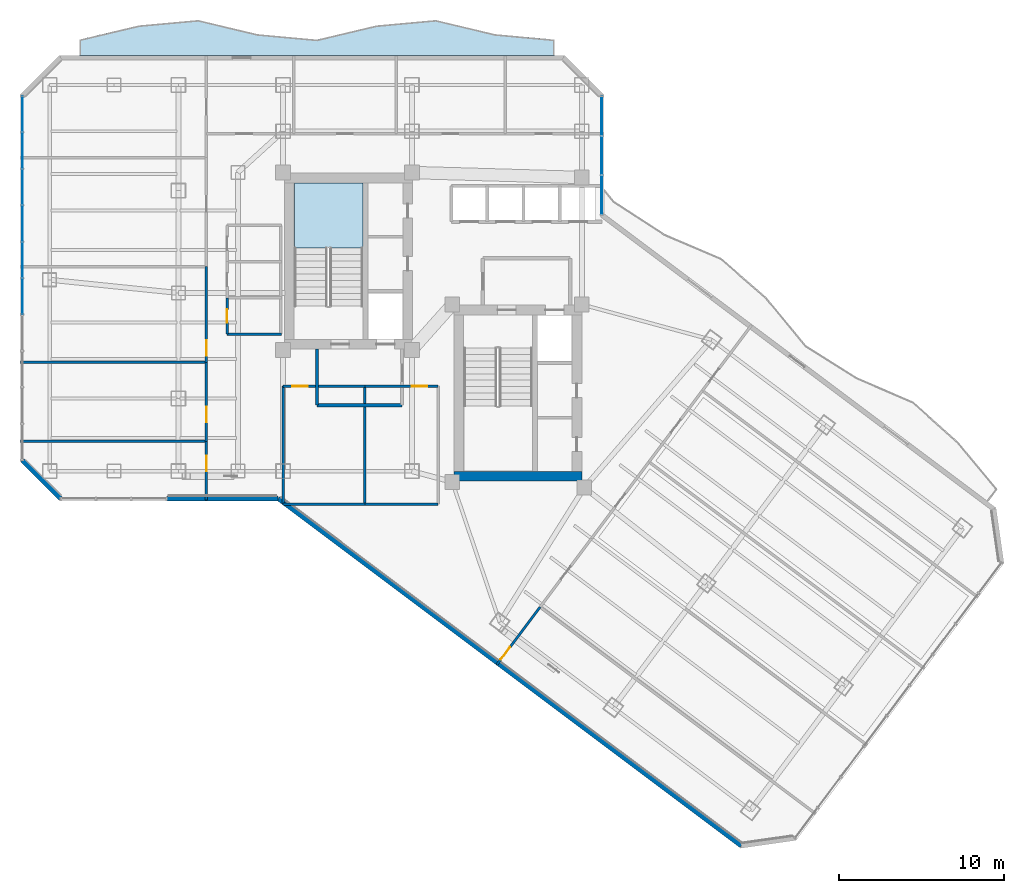
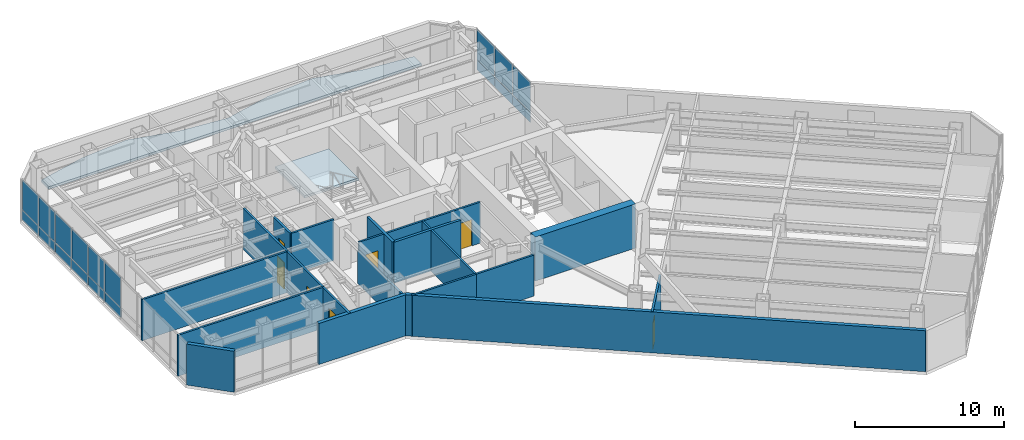
# One storey, part 23 of 31: 20 walls, 18 plates, 7 doors, 2 slabs, 7 openings, 3 elements without a shape of their own.
"""IFC4 building model written with IfcOpenShell, lengths in metres."""

from ifc_helpers import new_model, si_unit, direction, frame, frame_2d, origin, origin_2d, place, context, subcontext, project, spatial, polyline, rectangle, outline, extrude, material, layer, layer_set, type_object, element, fill, aggregate, save


model = new_model("IFC4")

# Units and contexts
model_context = context("Model", 3, precision=1e-05, world=origin(), true_north=direction((0.0, 1.0)))
body_context = subcontext(model_context, "Body", "Model", "MODEL_VIEW")
ifc_project = project(units=[si_unit("LENGTHUNIT", "METRE"), si_unit("AREAUNIT", "SQUARE_METRE"), si_unit("VOLUMEUNIT", "CUBIC_METRE"), si_unit("PLANEANGLEUNIT", "RADIAN"), si_unit("MASSUNIT", "GRAM", prefix="KILO")], contexts=[model_context])

# Site, building, storey
site_placement = place(None, origin())
site = spatial("IfcSite", under=ifc_project, at=site_placement, CompositionType="ELEMENT")
building_placement = place(site_placement, origin())
building = spatial("IfcBuilding", under=site, at=building_placement, Name="Hatsunagi Terrace Concourse", CompositionType="ELEMENT")
storey_placement = place(building_placement, frame((0.0, 0.0, 112.050048828125)))
storey = spatial("IfcBuildingStorey", under=building, at=storey_placement, Name="L29", CompositionType="ELEMENT", Elevation=112.050048828125)

# Curtain wall, plates
ifc_material_1 = material(Name="Anodised Aluminium Alloy 6063-T5", Category="aluminium")
ifc_layer_1 = layer(ifc_material_1, 0.199951171875)
ifc_layer_set_1 = layer_set([ifc_layer_1], Name="OfficeZone1_CW03")
curtain_wall_type = type_object("IfcCurtainWallType", Name="OfficeZone1_CW03", PredefinedType="NOTDEFINED", material=ifc_layer_set_1)
curtain_wall_1_placement = place(storey_placement, origin())
curtain_wall_1 = element("IfcCurtainWall", 1, at=curtain_wall_1_placement, inside=storey, type_object=curtain_wall_type, Name="Unitised Curtain Wall CW-03 CW-L29-09", PredefinedType="NOTDEFINED")
ifc_material_2 = material(Name="Warm Terracotta Ceramic Spandrel Panel", Category="masonry")
ifc_layer_2 = layer(ifc_material_2, 0.031982421875)
ifc_layer_set_2 = layer_set([ifc_layer_2], Name="CurtainWallSpandrelPanel_32")
plate_type_1 = type_object("IfcPlateType", Name="CurtainWallSpandrelPanel_32", PredefinedType="SHEET", material=ifc_layer_set_2)
plate_1_placement = place(storey_placement, frame((9.739990234375, 35.7958984375, 0.030029296875), z_axis=(0.0, 0.0, 1.0), x_axis=(0.0, 1.0, 0.0)))
plate_1 = element("IfcPlate", 2, at=plate_1_placement, type_object=plate_type_1, Name="Terracotta Spandrel Panel SPN-01", PredefinedType="SHEET", context=body_context, shape_type="SweptSolid", body=[
    extrude(rectangle(XDim=2.153076171875, YDim=0.031982421875, at=origin_2d()), origin(), (0.0, 0.0, 1.0), 0.7900390625),
])
plate_2_placement = place(storey_placement, frame((9.739990234375, 38.00390625, 0.030029296875), z_axis=(0.0, 0.0, 1.0), x_axis=(0.0, 1.0, 0.0)))
plate_2 = element("IfcPlate", 3, at=plate_2_placement, type_object=plate_type_1, Name="Terracotta Spandrel Panel SPN-01", PredefinedType="SHEET", context=body_context, shape_type="SweptSolid", body=[
    extrude(rectangle(XDim=2.153076171875, YDim=0.031982421875, at=origin_2d()), origin(), (0.0, 0.0, 1.0), 0.7900390625),
])
plate_3_placement = place(storey_placement, frame((9.739990234375, 40.212890625, 0.030029296875), z_axis=(0.0, 0.0, 1.0), x_axis=(0.0, 1.0, 0.0)))
plate_3 = element("IfcPlate", 4, at=plate_3_placement, type_object=plate_type_1, Name="Terracotta Spandrel Panel SPN-01", PredefinedType="SHEET", context=body_context, shape_type="SweptSolid", body=[
    extrude(rectangle(XDim=2.153076171875, YDim=0.031982421875, at=origin_2d()), origin(), (0.0, 0.0, 1.0), 0.7900390625),
])
plate_4_placement = place(storey_placement, frame((9.739990234375, 42.4208984375, 0.030029296875), z_axis=(0.0, 0.0, 1.0), x_axis=(0.0, 1.0, 0.0)))
plate_4 = element("IfcPlate", 5, at=plate_4_placement, type_object=plate_type_1, Name="Terracotta Spandrel Panel SPN-01", PredefinedType="SHEET", context=body_context, shape_type="SweptSolid", body=[
    extrude(rectangle(XDim=2.153076171875, YDim=0.031982421875, at=origin_2d()), origin(), (0.0, 0.0, 1.0), 0.7900390625),
])
plate_5_placement = place(storey_placement, frame((9.739990234375, 44.62890625, 0.030029296875), z_axis=(0.0, 0.0, 1.0), x_axis=(0.0, 1.0, 0.0)))
plate_5 = element("IfcPlate", 6, at=plate_5_placement, type_object=plate_type_1, Name="Terracotta Spandrel Panel SPN-01", PredefinedType="SHEET", context=body_context, shape_type="SweptSolid", body=[
    extrude(rectangle(XDim=2.153076171875, YDim=0.031982421875, at=origin_2d()), origin(), (0.0, 0.0, 1.0), 0.7900390625),
])
plate_6_placement = place(storey_placement, frame((9.739990234375, 46.837890625, 0.030029296875), z_axis=(0.0, 0.0, 1.0), x_axis=(0.0, 1.0, 0.0)))
plate_6 = element("IfcPlate", 7, at=plate_6_placement, type_object=plate_type_1, Name="Terracotta Spandrel Panel SPN-01", PredefinedType="SHEET", context=body_context, shape_type="SweptSolid", body=[
    extrude(rectangle(XDim=2.153076171875, YDim=0.031982421875, at=origin_2d()), origin(), (0.0, 0.0, 1.0), 0.7900390625),
])

curtain_wall_2_placement = place(storey_placement, origin())
curtain_wall_2 = element("IfcCurtainWall", 8, at=curtain_wall_2_placement, inside=storey, type_object=curtain_wall_type, Name="Unitised Curtain Wall CW-03 CW-L29-13", PredefinedType="NOTDEFINED")
plate_7_placement = place(storey_placement, frame((44.860107421875, 46.739990234375, 0.030029296875), z_axis=(0.0, 0.0, 1.0), x_axis=(0.0, -1.0, 0.0)))
plate_7 = element("IfcPlate", 9, at=plate_7_placement, type_object=plate_type_1, Name="Terracotta Spandrel Panel SPN-01", PredefinedType="SHEET", context=body_context, shape_type="SweptSolid", body=[
    extrude(rectangle(XDim=2.34912109375, YDim=0.031982421875, at=origin_2d()), origin(), (0.0, 0.0, 1.0), 0.7900390625),
])
plate_8_placement = place(storey_placement, frame((44.860107421875, 44.3359375, 0.030029296875), z_axis=(0.0, 0.0, 1.0), x_axis=(0.0, -1.0, 0.0)))
plate_8 = element("IfcPlate", 10, at=plate_8_placement, type_object=plate_type_1, Name="Terracotta Spandrel Panel SPN-01", PredefinedType="SHEET", context=body_context, shape_type="SweptSolid", body=[
    extrude(rectangle(XDim=2.34912109375, YDim=0.031982421875, at=origin_2d()), origin(), (0.0, 0.0, 1.0), 0.7900390625),
])
plate_9_placement = place(storey_placement, frame((44.860107421875, 41.931884765625, 0.030029296875), z_axis=(0.0, 0.0, 1.0), x_axis=(0.0, -1.0, 0.0)))
plate_9 = element("IfcPlate", 11, at=plate_9_placement, type_object=plate_type_1, Name="Terracotta Spandrel Panel SPN-01", PredefinedType="SHEET", context=body_context, shape_type="SweptSolid", body=[
    extrude(rectangle(XDim=2.34912109375, YDim=0.031982421875, at=origin_2d()), origin(), (0.0, 0.0, 1.0), 0.7900390625),
])

# Plate
ifc_material_3 = material(Name="Low-E Double Insulating Glass 28mm", Category="glass")
ifc_layer_3 = layer(ifc_material_3, 0.028076171875)
ifc_layer_set_3 = layer_set([ifc_layer_3], Name="CurtainWallVisionGlass_28")
plate_type_2 = type_object("IfcPlateType", Name="CurtainWallVisionGlass_28", PredefinedType="CURTAIN_PANEL", material=ifc_layer_set_3)
plate_10_placement = place(storey_placement, frame((9.739990234375, 35.7958984375, 0.8798828125), z_axis=(0.0, 0.0, 1.0), x_axis=(0.0, 1.0, 0.0)))
plate_10 = element("IfcPlate", 12, at=plate_10_placement, type_object=plate_type_2, Name="Low-E Vision Glass Panel GLZ-01", PredefinedType="CURTAIN_PANEL", context=body_context, shape_type="SweptSolid", body=[
    extrude(rectangle(XDim=2.153076171875, YDim=0.028076171875, at=origin_2d()), origin(), (0.0, 0.0, 1.0), 2.43994140625),
])

plate_11_placement = place(storey_placement, frame((9.739990234375, 38.00390625, 0.8798828125), z_axis=(0.0, 0.0, 1.0), x_axis=(0.0, 1.0, 0.0)))
plate_11 = element("IfcPlate", 13, at=plate_11_placement, type_object=plate_type_2, Name="Low-E Vision Glass Panel GLZ-01", PredefinedType="CURTAIN_PANEL", context=body_context, shape_type="SweptSolid", body=[
    extrude(rectangle(XDim=2.153076171875, YDim=0.028076171875, at=origin_2d()), origin(), (0.0, 0.0, 1.0), 2.43994140625),
])

plate_12_placement = place(storey_placement, frame((9.739990234375, 40.212890625, 0.8798828125), z_axis=(0.0, 0.0, 1.0), x_axis=(0.0, 1.0, 0.0)))
plate_12 = element("IfcPlate", 14, at=plate_12_placement, type_object=plate_type_2, Name="Low-E Vision Glass Panel GLZ-01", PredefinedType="CURTAIN_PANEL", context=body_context, shape_type="SweptSolid", body=[
    extrude(rectangle(XDim=2.153076171875, YDim=0.028076171875, at=origin_2d()), origin(), (0.0, 0.0, 1.0), 2.43994140625),
])

plate_13_placement = place(storey_placement, frame((9.739990234375, 42.4208984375, 0.8798828125), z_axis=(0.0, 0.0, 1.0), x_axis=(0.0, 1.0, 0.0)))
plate_13 = element("IfcPlate", 15, at=plate_13_placement, type_object=plate_type_2, Name="Low-E Vision Glass Panel GLZ-01", PredefinedType="CURTAIN_PANEL", context=body_context, shape_type="SweptSolid", body=[
    extrude(rectangle(XDim=2.153076171875, YDim=0.028076171875, at=origin_2d()), origin(), (0.0, 0.0, 1.0), 2.43994140625),
])

plate_14_placement = place(storey_placement, frame((9.739990234375, 44.62890625, 0.8798828125), z_axis=(0.0, 0.0, 1.0), x_axis=(0.0, 1.0, 0.0)))
plate_14 = element("IfcPlate", 16, at=plate_14_placement, type_object=plate_type_2, Name="Low-E Vision Glass Panel GLZ-01", PredefinedType="CURTAIN_PANEL", context=body_context, shape_type="SweptSolid", body=[
    extrude(rectangle(XDim=2.153076171875, YDim=0.028076171875, at=origin_2d()), origin(), (0.0, 0.0, 1.0), 2.43994140625),
])

plate_15_placement = place(storey_placement, frame((9.739990234375, 46.837890625, 0.8798828125), z_axis=(0.0, 0.0, 1.0), x_axis=(0.0, 1.0, 0.0)))
plate_15 = element("IfcPlate", 17, at=plate_15_placement, type_object=plate_type_2, Name="Low-E Vision Glass Panel GLZ-01", PredefinedType="CURTAIN_PANEL", context=body_context, shape_type="SweptSolid", body=[
    extrude(rectangle(XDim=2.153076171875, YDim=0.028076171875, at=origin_2d()), origin(), (0.0, 0.0, 1.0), 2.43994140625),
])

aggregate(curtain_wall_1, [plate_1, plate_10, plate_2, plate_11, plate_3, plate_12, plate_4, plate_13, plate_5, plate_14, plate_6, plate_15])

plate_16_placement = place(storey_placement, frame((44.860107421875, 46.739990234375, 0.8798828125), z_axis=(0.0, 0.0, 1.0), x_axis=(0.0, -1.0, 0.0)))
plate_16 = element("IfcPlate", 18, at=plate_16_placement, type_object=plate_type_2, Name="Low-E Vision Glass Panel GLZ-01", PredefinedType="CURTAIN_PANEL", context=body_context, shape_type="SweptSolid", body=[
    extrude(rectangle(XDim=2.34912109375, YDim=0.028076171875, at=origin_2d()), origin(), (0.0, 0.0, 1.0), 2.43994140625),
])

plate_17_placement = place(storey_placement, frame((44.860107421875, 44.3359375, 0.8798828125), z_axis=(0.0, 0.0, 1.0), x_axis=(0.0, -1.0, 0.0)))
plate_17 = element("IfcPlate", 19, at=plate_17_placement, type_object=plate_type_2, Name="Low-E Vision Glass Panel GLZ-01", PredefinedType="CURTAIN_PANEL", context=body_context, shape_type="SweptSolid", body=[
    extrude(rectangle(XDim=2.34912109375, YDim=0.028076171875, at=origin_2d()), origin(), (0.0, 0.0, 1.0), 2.43994140625),
])

plate_18_placement = place(storey_placement, frame((44.860107421875, 41.931884765625, 0.8798828125), z_axis=(0.0, 0.0, 1.0), x_axis=(0.0, -1.0, 0.0)))
plate_18 = element("IfcPlate", 20, at=plate_18_placement, type_object=plate_type_2, Name="Low-E Vision Glass Panel GLZ-01", PredefinedType="CURTAIN_PANEL", context=body_context, shape_type="SweptSolid", body=[
    extrude(rectangle(XDim=2.34912109375, YDim=0.028076171875, at=origin_2d()), origin(), (0.0, 0.0, 1.0), 2.43994140625),
])

aggregate(curtain_wall_2, [plate_7, plate_16, plate_8, plate_17, plate_9, plate_18])

# Stair, slab
ifc_material_4 = material(Name="Concrete Fc42", Category="concrete")
stair_type = type_object("IfcStairType", Name="DoglegExitStair_Tower2000_20R_180", PredefinedType="HALF_TURN_STAIR", material=ifc_material_4)
stair_placement = place(storey_placement, origin())
stair = element("IfcStair", 21, at=stair_placement, inside=storey, type_object=stair_type, Name="L29 Core A Protected Exit Stair ST-A", PredefinedType="HALF_TURN_STAIR")
ifc_material_5 = material(Name="Concrete Fc42", Category="concrete")
ifc_layer_4 = layer(ifc_material_5, 0.199951171875)
ifc_layer_set_4 = layer_set([ifc_layer_4], Name="DoglegStairLanding_Tower2000")
slab_type_1 = type_object("IfcSlabType", Name="DoglegStairLanding_Tower2000", PredefinedType="LANDING", material=ifc_layer_set_4)
slab_1_placement = place(storey_placement, frame((0.0, 0.0, 1.599853515625)))
slab_1 = element("IfcSlab", 22, at=slab_1_placement, type_object=slab_type_1, Name="ST-A landing 1", PredefinedType="LANDING", context=body_context, shape_type="SweptSolid", body=[
    extrude(outline(polyline([(30.3798828125, 38.7099609375), (30.3798828125, 42.659912109375), (26.22998046875, 42.659912109375), (26.22998046875, 38.7099609375), (30.3798828125, 38.7099609375)])), origin(), (0.0, 0.0, 1.0), 0.2001953125),
])
aggregate(stair, [slab_1])

# Slab
ifc_material_6 = material(Name="Concrete Fc42", Category="concrete")
ifc_layer_5 = layer(ifc_material_6, 0.199951171875)
ifc_layer_set_5 = layer_set([ifc_layer_5], Name="EngawaBalconySlab_Fc42_200")
slab_type_2 = type_object("IfcSlabType", Name="EngawaBalconySlab_Fc42_200", PredefinedType="FLOOR", material=ifc_layer_set_5)
slab_2_placement = place(storey_placement, frame((0.0, 0.0, -0.199951171875)))
element("IfcSlab", 23, at=slab_2_placement, inside=storey, type_object=slab_type_2, Name="Engawa Balcony Slab BAL-L29-BN", PredefinedType="FLOOR", context=body_context, shape_type="SweptSolid", body=[
    extrude(outline(polyline([(13.199951171875, 51.35595703125), (13.199951171875, 50.39990234375), (42.0, 50.39990234375), (42.0, 51.35595703125), (38.39990234375, 51.68603515625), (34.800048828125, 52.5439453125), (31.199951171875, 52.214111328125), (27.60009765625, 51.35595703125), (24.0, 51.68603515625), (20.39990234375, 52.5439453125), (16.800048828125, 52.214111328125), (13.199951171875, 51.35595703125)])), origin(), (0.0, 0.0, 1.0), 0.199951171875),
])

# Walls
ifc_material_7 = material(Name="Concrete Fc48", Category="concrete")
ifc_layer_6 = layer(ifc_material_7, 0.60009765625)
ifc_layer_set_6 = layer_set([ifc_layer_6], Name="CoreShearWall_Fc48_600")
wall_type_1 = type_object("IfcWallType", Name="CoreShearWall_Fc48_600", PredefinedType="SHEAR", material=ifc_layer_set_6)
wall_1_placement = place(storey_placement, frame((35.889892578125, 24.889892578125, 0.0), z_axis=(0.0, 0.0, 1.0), x_axis=(1.0, 0.0, 0.0)))
element("IfcWall", 24, at=wall_1_placement, inside=storey, type_object=wall_type_1, Name="Core B Shear Wall S L29", PredefinedType="SHEAR", context=body_context, shape_type="SweptSolid", body=[
    extrude(rectangle(XDim=7.760009765625, YDim=0.60009765625, at=frame_2d((3.8798828125, 0.0))), origin(), (0.0, 0.0, 1.0), 3.599853515625),
])
ifc_material_8 = material(Name="Acoustic mineral board", Category="gypsum")
ifc_layer_7 = layer(ifc_material_8, 0.14990234375)
ifc_layer_set_7 = layer_set([ifc_layer_7], Name="PartitionWall_EI60_150")
wall_type_2 = type_object("IfcWallType", Name="PartitionWall_EI60_150", PredefinedType="PARTITIONING", material=ifc_layer_set_7)
wall_2_placement = place(storey_placement, frame((22.14990234375, 33.5, 0.0), z_axis=(0.0, 0.0, 1.0), x_axis=(1.0, 0.0, 0.0)))
element("IfcWall", 25, at=wall_2_placement, inside=storey, type_object=wall_type_2, Name="Interior Partition IW-L29-017", PredefinedType="PARTITIONING", context=body_context, shape_type="SweptSolid", body=[
    extrude(rectangle(XDim=3.300048828125, YDim=0.14990234375, at=frame_2d((1.64990234375, 0.0))), origin(), (0.0, 0.0, 1.0), 3.349853515625),
])

# Wall, opening, door
wall_3_placement = place(storey_placement, frame((22.14990234375, 33.5, 0.0), z_axis=(0.0, 0.0, 1.0), x_axis=(0.0, 1.0, 0.0)))
wall_3 = element("IfcWall", 26, at=wall_3_placement, inside=storey, type_object=wall_type_2, Name="Interior Partition IW-L29-022", PredefinedType="PARTITIONING", context=body_context, shape_type="SweptSolid", body=[
    extrude(rectangle(XDim=2.199951171875, YDim=0.14990234375, at=frame_2d((1.10009765625, 0.0))), origin(), (0.0, 0.0, 1.0), 3.349853515625),
])
opening_1_placement = place(wall_3_placement, frame((0.699951171875, 0.0, 0.0)))
opening_1 = element("IfcOpeningElement", 27, at=opening_1_placement, cuts=wall_3, Name="Opening DR-080", PredefinedType="OPENING", context=body_context, shape_type="SweptSolid", body=[
    extrude(rectangle(XDim=0.800048828125, YDim=2.06005859375, at=frame_2d((0.39990234375, 1.030029296875))), frame((0.0, 0.0849609375, 0.0), z_axis=(0.0, -1.0, 0.0), x_axis=(1.0, 0.0, 0.0)), (0.0, 0.0, 1.0), 0.169921875),
])
ifc_material_9 = material(Name="Hardwood timber", Category="wood")
door_type_1 = type_object("IfcDoorType", Name="BathroomDoor_800", OperationType="NOTDEFINED", PredefinedType="DOOR", material=ifc_material_9)
door_1_placement = place(opening_1_placement, origin())
door_1 = element("IfcDoor", 28, at=door_1_placement, inside=storey, type_object=door_type_1, Name="Accessible WC Door L29", OperationType="SINGLE_SWING_RIGHT", OverallHeight=2.06005859375, OverallWidth=0.800048828125, PredefinedType="DOOR", context=body_context, shape_type="SweptSolid", body=[
    extrude(rectangle(XDim=0.800048828125, YDim=2.06005859375, at=frame_2d((0.39990234375, 1.030029296875))), frame((0.0, 0.02490234375, 0.0), z_axis=(0.0, -1.0, 0.0), x_axis=(1.0, 0.0, 0.0)), (0.0, 0.0, 1.0), 0.050048828125),
])
fill(opening_1, door_1)

# Wall
wall_4_placement = place(storey_placement, frame((25.550048828125, 23.199951171875, 0.0), z_axis=(0.0, 0.0, 1.0), x_axis=(1.0, 0.0, 0.0)))
element("IfcWall", 29, at=wall_4_placement, inside=storey, type_object=wall_type_2, Name="Interior Partition IW-L29-025", PredefinedType="PARTITIONING", context=body_context, shape_type="SweptSolid", body=[
    extrude(rectangle(XDim=4.949951171875, YDim=0.14990234375, at=frame_2d((2.47509765625, 0.0))), origin(), (0.0, 0.0, 1.0), 3.349853515625),
])

# Wall, opening, door
wall_5_placement = place(storey_placement, frame((25.550048828125, 30.35009765625, 0.0), z_axis=(0.0, 0.0, 1.0), x_axis=(1.0, 0.0, 0.0)))
wall_5 = element("IfcWall", 30, at=wall_5_placement, inside=storey, type_object=wall_type_2, Name="Interior Partition IW-L29-026", PredefinedType="PARTITIONING", context=body_context, shape_type="SweptSolid", body=[
    extrude(rectangle(XDim=4.949951171875, YDim=0.14990234375, at=frame_2d((2.47509765625, 0.0))), origin(), (0.0, 0.0, 1.0), 3.349853515625),
])
opening_2_placement = place(wall_5_placement, frame((0.5419921875, 0.0, 0.0)))
opening_2 = element("IfcOpeningElement", 31, at=opening_2_placement, cuts=wall_5, Name="Opening DR-095", PredefinedType="OPENING", context=body_context, shape_type="SweptSolid", body=[
    extrude(rectangle(XDim=0.949951171875, YDim=2.14990234375, at=frame_2d((0.47509765625, 1.074951171875))), frame((0.0, 0.0849609375, 0.0), z_axis=(0.0, -1.0, 0.0), x_axis=(1.0, 0.0, 0.0)), (0.0, 0.0, 1.0), 0.169921875),
])
ifc_material_10 = material(Name="Hardwood timber", Category="wood")
door_type_2 = type_object("IfcDoorType", Name="InteriorSuiteDoor_EI30_950", OperationType="NOTDEFINED", PredefinedType="DOOR", material=ifc_material_10)
door_2_placement = place(opening_2_placement, origin())
door_2 = element("IfcDoor", 32, at=door_2_placement, inside=storey, type_object=door_type_2, Name="Breakout Pantry L29-RECL1 Door", OperationType="SINGLE_SWING_RIGHT", OverallHeight=2.14990234375, OverallWidth=0.949951171875, PredefinedType="DOOR", context=body_context, shape_type="SweptSolid", body=[
    extrude(rectangle(XDim=0.949951171875, YDim=2.14990234375, at=frame_2d((0.47509765625, 1.074951171875))), frame((0.0, 0.02490234375, 0.0), z_axis=(0.0, -1.0, 0.0), x_axis=(1.0, 0.0, 0.0)), (0.0, 0.0, 1.0), 0.050048828125),
])
fill(opening_2, door_2)

# Walls
wall_6_placement = place(storey_placement, frame((25.550048828125, 23.199951171875, 0.0), z_axis=(0.0, 0.0, 1.0), x_axis=(0.0, 1.0, 0.0)))
element("IfcWall", 33, at=wall_6_placement, inside=storey, type_object=wall_type_2, Name="Interior Partition IW-L29-027", PredefinedType="PARTITIONING", context=body_context, shape_type="SweptSolid", body=[
    extrude(rectangle(XDim=7.150146484375, YDim=0.14990234375, at=frame_2d((3.5751953125, 0.0))), origin(), (0.0, 0.0, 1.0), 2.695068359375),
])
wall_7_placement = place(storey_placement, frame((30.5, 23.199951171875, 0.0), z_axis=(0.0, 0.0, 1.0), x_axis=(0.0, 1.0, 0.0)))
element("IfcWall", 34, at=wall_7_placement, inside=storey, type_object=wall_type_2, Name="Interior Partition IW-L29-028", PredefinedType="PARTITIONING", context=body_context, shape_type="SweptSolid", body=[
    extrude(rectangle(XDim=7.150146484375, YDim=0.14990234375, at=frame_2d((3.5751953125, 0.0))), origin(), (0.0, 0.0, 1.0), 3.349853515625),
])
wall_8_placement = place(storey_placement, frame((30.5, 23.199951171875, 0.0), z_axis=(0.0, 0.0, 1.0), x_axis=(1.0, 0.0, 0.0)))
element("IfcWall", 35, at=wall_8_placement, inside=storey, type_object=wall_type_2, Name="Interior Partition IW-L29-029", PredefinedType="PARTITIONING", context=body_context, shape_type="SweptSolid", body=[
    extrude(rectangle(XDim=4.449951171875, YDim=0.14990234375, at=frame_2d((2.22509765625, 0.0))), origin(), (0.0, 0.0, 1.0), 3.349853515625),
])

# Wall, opening, door
wall_9_placement = place(storey_placement, frame((30.5, 30.35009765625, 0.0), z_axis=(0.0, 0.0, 1.0), x_axis=(1.0, 0.0, 0.0)))
wall_9 = element("IfcWall", 36, at=wall_9_placement, inside=storey, type_object=wall_type_2, Name="Interior Partition IW-L29-030", PredefinedType="PARTITIONING", context=body_context, shape_type="SweptSolid", body=[
    extrude(rectangle(XDim=4.449951171875, YDim=0.14990234375, at=frame_2d((2.22509765625, 0.0))), origin(), (0.0, 0.0, 1.0), 3.349853515625),
])
opening_3_placement = place(wall_9_placement, frame((2.845947265625, 0.0, 0.0)))
opening_3 = element("IfcOpeningElement", 37, at=opening_3_placement, cuts=wall_9, Name="Opening DR-095", PredefinedType="OPENING", context=body_context, shape_type="SweptSolid", body=[
    extrude(rectangle(XDim=0.949951171875, YDim=2.14990234375, at=frame_2d((0.47509765625, 1.074951171875))), frame((0.0, 0.0849609375, 0.0), z_axis=(0.0, -1.0, 0.0), x_axis=(1.0, 0.0, 0.0)), (0.0, 0.0, 1.0), 0.169921875),
])
door_3_placement = place(opening_3_placement, origin())
door_3 = element("IfcDoor", 38, at=door_3_placement, inside=storey, type_object=door_type_2, Name="Focus Room L29-RECL2 Door", OperationType="SINGLE_SWING_RIGHT", OverallHeight=2.14990234375, OverallWidth=0.949951171875, PredefinedType="DOOR", context=body_context, shape_type="SweptSolid", body=[
    extrude(rectangle(XDim=0.949951171875, YDim=2.14990234375, at=frame_2d((0.47509765625, 1.074951171875))), frame((0.0, 0.02490234375, 0.0), z_axis=(0.0, -1.0, 0.0), x_axis=(1.0, 0.0, 0.0)), (0.0, 0.0, 1.0), 0.050048828125),
])
fill(opening_3, door_3)

# Wall
wall_10_placement = place(storey_placement, frame((9.639892578125, 27.0, 0.0), z_axis=(0.0, 0.0, 1.0), x_axis=(1.0, 0.0, 0.0)))
element("IfcWall", 39, at=wall_10_placement, inside=storey, type_object=wall_type_2, Name="Interior Partition IW-L29-032", PredefinedType="PARTITIONING", context=body_context, shape_type="SweptSolid", body=[
    extrude(rectangle(XDim=11.260009765625, YDim=0.14990234375, at=frame_2d((5.6298828125, 0.0))), origin(), (0.0, 0.0, 1.0), 3.349853515625),
])

# Wall, opening, door
wall_11_placement = place(storey_placement, frame((20.89990234375, 23.43994140625, 0.0), z_axis=(0.0, 0.0, 1.0), x_axis=(0.0, 1.0, 0.0)))
wall_11 = element("IfcWall", 40, at=wall_11_placement, inside=storey, type_object=wall_type_2, Name="Interior Partition IW-L29-033", PredefinedType="PARTITIONING", context=body_context, shape_type="SweptSolid", body=[
    extrude(rectangle(XDim=3.56005859375, YDim=0.14990234375, at=frame_2d((1.780029296875, 0.0))), origin(), (0.0, 0.0, 1.0), 3.349853515625),
])
opening_4_placement = place(wall_11_placement, frame((1.7490234375, 0.0, 0.0)))
opening_4 = element("IfcOpeningElement", 41, at=opening_4_placement, cuts=wall_11, Name="Opening DR-095", PredefinedType="OPENING", context=body_context, shape_type="SweptSolid", body=[
    extrude(rectangle(XDim=0.949951171875, YDim=2.14990234375, at=frame_2d((0.47509765625, 1.074951171875))), frame((0.0, 0.0849609375, 0.0), z_axis=(0.0, -1.0, 0.0), x_axis=(1.0, 0.0, 0.0)), (0.0, 0.0, 1.0), 0.169921875),
])
door_4_placement = place(opening_4_placement, origin())
door_4 = element("IfcDoor", 42, at=door_4_placement, inside=storey, type_object=door_type_2, Name="Focus Room L29-OW1 Door", OperationType="SINGLE_SWING_RIGHT", OverallHeight=2.14990234375, OverallWidth=0.949951171875, PredefinedType="DOOR", context=body_context, shape_type="SweptSolid", body=[
    extrude(rectangle(XDim=0.949951171875, YDim=2.14990234375, at=frame_2d((0.47509765625, 1.074951171875))), frame((0.0, 0.02490234375, 0.0), z_axis=(0.0, -1.0, 0.0), x_axis=(1.0, 0.0, 0.0)), (0.0, 0.0, 1.0), 0.050048828125),
])
fill(opening_4, door_4)

# Wall
wall_12_placement = place(storey_placement, frame((9.639892578125, 31.800048828125, 0.0), z_axis=(0.0, 0.0, 1.0), x_axis=(1.0, 0.0, 0.0)))
element("IfcWall", 43, at=wall_12_placement, inside=storey, type_object=wall_type_2, Name="Interior Partition IW-L29-034", PredefinedType="PARTITIONING", context=body_context, shape_type="SweptSolid", body=[
    extrude(rectangle(XDim=11.260009765625, YDim=0.14990234375, at=frame_2d((5.6298828125, 0.0))), origin(), (0.0, 0.0, 1.0), 3.349853515625),
])

# Wall, opening, door
wall_13_placement = place(storey_placement, frame((20.89990234375, 27.0, 0.0), z_axis=(0.0, 0.0, 1.0), x_axis=(0.0, 1.0, 0.0)))
wall_13 = element("IfcWall", 44, at=wall_13_placement, inside=storey, type_object=wall_type_2, Name="Interior Partition IW-L29-035", PredefinedType="PARTITIONING", context=body_context, shape_type="SweptSolid", body=[
    extrude(rectangle(XDim=4.800048828125, YDim=0.14990234375, at=frame_2d((2.39990234375, 0.0))), origin(), (0.0, 0.0, 1.0), 3.349853515625),
])
opening_5_placement = place(wall_13_placement, frame((1.153076171875, 0.0, 0.0)))
opening_5 = element("IfcOpeningElement", 45, at=opening_5_placement, cuts=wall_13, Name="Opening DR-095", PredefinedType="OPENING", context=body_context, shape_type="SweptSolid", body=[
    extrude(rectangle(XDim=0.949951171875, YDim=2.14990234375, at=frame_2d((0.47509765625, 1.074951171875))), frame((0.0, 0.0849609375, 0.0), z_axis=(0.0, -1.0, 0.0), x_axis=(1.0, 0.0, 0.0)), (0.0, 0.0, 1.0), 0.169921875),
])
door_5_placement = place(opening_5_placement, origin())
door_5 = element("IfcDoor", 46, at=door_5_placement, inside=storey, type_object=door_type_2, Name="Executive Office L29-OW2 Door", OperationType="SINGLE_SWING_RIGHT", OverallHeight=2.14990234375, OverallWidth=0.949951171875, PredefinedType="DOOR", context=body_context, shape_type="SweptSolid", body=[
    extrude(rectangle(XDim=0.949951171875, YDim=2.14990234375, at=frame_2d((0.47509765625, 1.074951171875))), frame((0.0, 0.02490234375, 0.0), z_axis=(0.0, -1.0, 0.0), x_axis=(1.0, 0.0, 0.0)), (0.0, 0.0, 1.0), 0.050048828125),
])
fill(opening_5, door_5)

wall_14_placement = place(storey_placement, frame((20.89990234375, 31.800048828125, 0.0), z_axis=(0.0, 0.0, 1.0), x_axis=(0.0, 1.0, 0.0)))
wall_14 = element("IfcWall", 47, at=wall_14_placement, inside=storey, type_object=wall_type_2, Name="Interior Partition IW-L29-037", PredefinedType="PARTITIONING", context=body_context, shape_type="SweptSolid", body=[
    extrude(rectangle(XDim=5.800048828125, YDim=0.14990234375, at=frame_2d((2.89990234375, 0.0))), origin(), (0.0, 0.0, 1.0), 3.349853515625),
])
opening_6_placement = place(wall_14_placement, frame((0.3798828125, 0.0, 0.0)))
opening_6 = element("IfcOpeningElement", 48, at=opening_6_placement, cuts=wall_14, Name="Opening DR-095", PredefinedType="OPENING", context=body_context, shape_type="SweptSolid", body=[
    extrude(rectangle(XDim=0.949951171875, YDim=2.14990234375, at=frame_2d((0.47509765625, 1.074951171875))), frame((0.0, 0.0849609375, 0.0), z_axis=(0.0, -1.0, 0.0), x_axis=(1.0, 0.0, 0.0)), (0.0, 0.0, 1.0), 0.169921875),
])
door_6_placement = place(opening_6_placement, origin())
door_6 = element("IfcDoor", 49, at=door_6_placement, inside=storey, type_object=door_type_2, Name="Meeting Room L29-OW3 Door", OperationType="SINGLE_SWING_RIGHT", OverallHeight=2.14990234375, OverallWidth=0.949951171875, PredefinedType="DOOR", context=body_context, shape_type="SweptSolid", body=[
    extrude(rectangle(XDim=0.949951171875, YDim=2.14990234375, at=frame_2d((0.47509765625, 1.074951171875))), frame((0.0, 0.02490234375, 0.0), z_axis=(0.0, -1.0, 0.0), x_axis=(1.0, 0.0, 0.0)), (0.0, 0.0, 1.0), 0.050048828125),
])
fill(opening_6, door_6)

wall_15_placement = place(storey_placement, frame((38.50390625, 13.471923828125, 0.0), z_axis=(0.0, 0.0, 1.0), x_axis=(0.600026876565, 0.799979841871, 0.0)))
wall_15 = element("IfcWall", 50, at=wall_15_placement, inside=storey, type_object=wall_type_2, Name="Interior Partition IW-L29-049", PredefinedType="PARTITIONING", context=body_context, shape_type="SweptSolid", body=[
    extrude(rectangle(XDim=4.360107421875, YDim=0.14990234375, at=frame_2d((2.18017578125, 0.0))), origin(), (0.0, 0.0, 1.0), 3.349853515625),
])
opening_7_placement = place(wall_15_placement, frame((0.3798828125, 0.0, 0.0)))
opening_7 = element("IfcOpeningElement", 51, at=opening_7_placement, cuts=wall_15, Name="Opening DR-095", PredefinedType="OPENING", context=body_context, shape_type="SweptSolid", body=[
    extrude(rectangle(XDim=0.949951171875, YDim=2.14990234375, at=frame_2d((0.47509765625, 1.074951171875))), frame((0.0, 0.0849609375, 0.0), z_axis=(0.0, -1.0, 0.0), x_axis=(1.0, 0.0, 0.0)), (0.0, 0.0, 1.0), 0.169921875),
])
door_7_placement = place(opening_7_placement, origin())
door_7 = element("IfcDoor", 52, at=door_7_placement, inside=storey, type_object=door_type_2, Name="Focus Room L29-OSE1 Door", OperationType="SINGLE_SWING_RIGHT", OverallHeight=2.14990234375, OverallWidth=0.949951171875, PredefinedType="DOOR", context=body_context, shape_type="SweptSolid", body=[
    extrude(rectangle(XDim=0.949951171875, YDim=2.14990234375, at=frame_2d((0.47509765625, 1.074951171875))), frame((0.0, 0.02490234375, 0.0), z_axis=(0.0, -1.0, 0.0), x_axis=(1.0, 0.0, 0.0)), (0.0, 0.0, 1.0), 0.050048828125),
])
fill(opening_7, door_7)

# Walls
ifc_material_11 = material(Name="Acoustic mineral board", Category="gypsum")
ifc_layer_8 = layer(ifc_material_11, 0.199951171875)
ifc_layer_set_8 = layer_set([ifc_layer_8], Name="ShaftWall_EI120_200")
wall_type_3 = type_object("IfcWallType", Name="ShaftWall_EI120_200", PredefinedType="STANDARD", material=ifc_layer_set_8)
wall_16_placement = place(storey_placement, frame((27.60009765625, 29.199951171875, 0.0), z_axis=(0.0, 0.0, 1.0), x_axis=(1.0, 0.0, 0.0)))
element("IfcWall", 53, at=wall_16_placement, inside=storey, type_object=wall_type_3, Name="Interior Partition IW-L29-005", PredefinedType="STANDARD", context=body_context, shape_type="SweptSolid", body=[
    extrude(rectangle(XDim=5.14990234375, YDim=0.199951171875, at=frame_2d((2.574951171875, 0.0))), origin(), (0.0, 0.0, 1.0), 3.349853515625),
])
wall_17_placement = place(storey_placement, frame((27.60009765625, 29.199951171875, 0.0), z_axis=(0.0, 0.0, 1.0), x_axis=(0.0, 1.0, 0.0)))
element("IfcWall", 54, at=wall_17_placement, inside=storey, type_object=wall_type_3, Name="Interior Partition IW-L29-006", PredefinedType="STANDARD", context=body_context, shape_type="SweptSolid", body=[
    extrude(rectangle(XDim=3.39013671875, YDim=0.199951171875, at=frame_2d((1.695068359375, 0.0))), origin(), (0.0, 0.0, 1.0), 3.349853515625),
])
ifc_material_12 = material(Name="Autoclaved Lightweight Concrete and Terracotta Cladding", Category="masonry")
ifc_layer_9 = layer(ifc_material_12, 0.280029296875)
ifc_layer_set_9 = layer_set([ifc_layer_9], Name="TerracottaSpandrelWall_280")
wall_type_4 = type_object("IfcWallType", Name="TerracottaSpandrelWall_280", PredefinedType="STANDARD", material=ifc_layer_set_9)
wall_18_placement = place(storey_placement, frame((53.318115234375, 2.487060546875, 0.0), z_axis=(0.0, 0.0, 1.0), x_axis=(-0.800004174678, 0.599994433723, 0.0)))
element("IfcWall", 55, at=wall_18_placement, inside=storey, type_object=wall_type_4, Name="Exterior Spandrel Wall EW-L29-05", PredefinedType="STANDARD", context=body_context, shape_type="SweptSolid", body=[
    extrude(rectangle(XDim=35.088623046875, YDim=0.280029296875, at=frame_2d((17.54443359375, 0.0))), origin(), (0.0, 0.0, 1.0), 3.349853515625),
])
wall_19_placement = place(storey_placement, frame((25.2470703125, 23.5400390625, 0.0), z_axis=(0.0, 0.0, 1.0), x_axis=(-1.0, 0.0, 0.0)))
element("IfcWall", 56, at=wall_19_placement, inside=storey, type_object=wall_type_4, Name="Exterior Spandrel Wall EW-L29-06", PredefinedType="STANDARD", context=body_context, shape_type="SweptSolid", body=[
    extrude(rectangle(XDim=6.7470703125, YDim=0.280029296875, at=frame_2d((3.37353515625, 0.0))), origin(), (0.0, 0.0, 1.0), 3.349853515625),
])
wall_20_placement = place(storey_placement, frame((12.05810546875, 23.5400390625, 0.0), z_axis=(0.0, 0.0, 1.0), x_axis=(-0.707144017911, 0.707069542501, 0.0)))
element("IfcWall", 57, at=wall_20_placement, inside=storey, type_object=wall_type_4, Name="Exterior Spandrel Wall EW-L29-08", PredefinedType="STANDARD", context=body_context, shape_type="SweptSolid", body=[
    extrude(rectangle(XDim=3.278076171875, YDim=0.280029296875, at=frame_2d((1.63916015625, 0.0))), origin(), (0.0, 0.0, 1.0), 3.349853515625),
])

save(model, "model.ifc")
